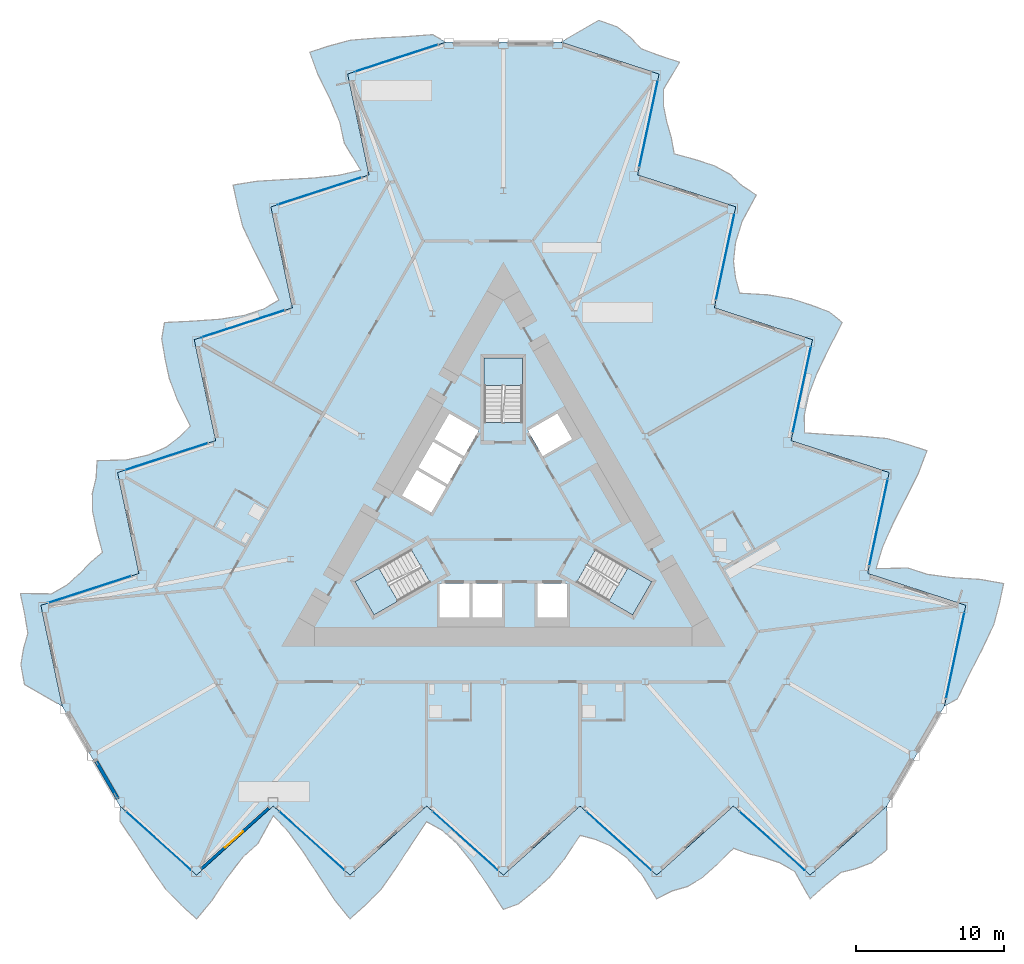
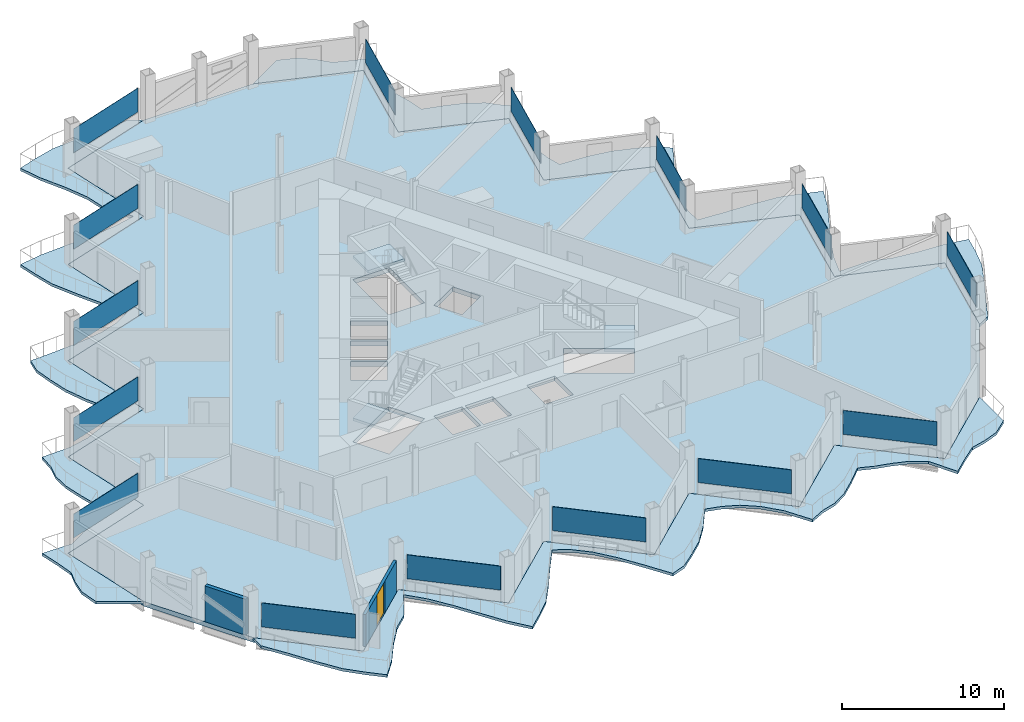
# One storey, part 10 of 23: 15 plates, 7 slabs, 2 walls, 1 door, 1 opening, 18 elements without a shape of their own.
"""IFC4 building model written with IfcOpenShell, lengths in metres."""

from ifc_helpers import new_model, si_unit, direction, frame, frame_2d, origin, origin_2d, place, context, subcontext, project, spatial, polyline, rectangle, outline, extrude, material, layer, layer_set, type_object, element, fill, aggregate, save


model = new_model("IFC4")

# Units and contexts
model_context = context("Model", 3, precision=1e-05, world=origin(), true_north=direction((0.0, 1.0)))
body_context = subcontext(model_context, "Body", "Model", "MODEL_VIEW")
ifc_project = project(units=[si_unit("LENGTHUNIT", "METRE"), si_unit("AREAUNIT", "SQUARE_METRE"), si_unit("VOLUMEUNIT", "CUBIC_METRE"), si_unit("PLANEANGLEUNIT", "RADIAN"), si_unit("MASSUNIT", "GRAM", prefix="KILO")], contexts=[model_context])

# Site, building, storey
site_placement = place(None, origin())
site = spatial("IfcSite", under=ifc_project, at=site_placement, CompositionType="ELEMENT")
building_placement = place(site_placement, origin())
building = spatial("IfcBuilding", under=site, at=building_placement, Name="Cormorant Prow Tower", CompositionType="ELEMENT")
storey_placement = place(building_placement, frame((0.0, 0.0, 263.39990234375)))
storey = spatial("IfcBuildingStorey", under=building, at=storey_placement, Name="L59", CompositionType="ELEMENT", Elevation=263.39990234375)

# Slabs
ifc_material_1 = material(Name="Concrete C40/50", Category="concrete")
ifc_layer_1 = layer(ifc_material_1, 0.199951171875)
ifc_layer_set_1 = layer_set([ifc_layer_1], Name="Concrete C40/50")
slab_type_1 = type_object("IfcSlabType", Name="Balcony slab 200", PredefinedType="FLOOR", material=ifc_layer_set_1)
slab_1_placement = place(storey_placement, frame((0.0, 0.0, -0.199951171875)))
element("IfcSlab", 1, at=slab_1_placement, inside=storey, type_object=slab_type_1, Name="Balcony slab S L59", PredefinedType="FLOOR", context=body_context, shape_type="SweptSolid", body=[
    extrude(outline(polyline([(-25.913330078125, -19.456298828125), (-25.913330078125, -20.472412109375), (-24.876953125, -21.995361328125), (-23.84033203125, -23.604248046875), (-22.8037109375, -25.101806640625), (-21.767333984375, -26.139404296875), (-20.730712890625, -27.07275390625), (-19.694091796875, -25.836669921875), (-18.65771484375, -24.27197265625), (-17.62109375, -22.9228515625), (-16.58447265625, -21.989501953125), (-15.548095703125, -20.1064453125), (-14.511474609375, -21.20947265625), (-13.474853515625, -22.628173828125), (-12.4384765625, -24.22119140625), (-11.40185546875, -25.794921875), (-10.365234375, -27.07275390625), (-9.328857421875, -26.139404296875), (-8.292236328125, -25.13427734375), (-7.255859375, -23.652587890625), (-6.21923828125, -22.045166015625), (-5.1826171875, -20.50927734375), (-4.146240234375, -21.087890625), (-3.109619140625, -22.017822265625), (-2.072998046875, -23.300537109375), (-1.03662109375, -24.833740234375), (0.0, -26.441650390625), (1.03662109375, -26.060302734375), (2.072998046875, -25.206298828125), (3.109619140625, -24.27294921875), (4.146240234375, -23.004638671875), (5.1826171875, -21.432861328125), (6.21923828125, -21.705322265625), (7.255859375, -22.148681640625), (8.292236328125, -22.90625), (9.328857421875, -24.029541015625), (10.365234375, -25.722900390625), (11.40185546875, -25.19384765625), (12.4384765625, -24.893798828125), (13.474853515625, -24.27294921875), (14.511474609375, -23.339599609375), (15.548095703125, -22.309326171875), (16.58447265625, -22.68212890625), (17.62109375, -22.93994140625), (18.65771484375, -23.280517578125), (19.694091796875, -23.87744140625), (20.730712890625, -25.722900390625), (21.767333984375, -24.78955078125), (22.8037109375, -23.93896484375), (23.84033203125, -23.678466796875), (24.876953125, -23.28466796875), (25.913330078125, -22.40625), (25.913330078125, -19.456298828125), (24.876953125, -20.3896484375), (23.84033203125, -21.322998046875), (22.8037109375, -22.256103515625), (21.767333984375, -23.189453125), (20.730712890625, -24.122802734375), (19.694091796875, -23.189453125), (18.65771484375, -22.256103515625), (17.62109375, -21.322998046875), (16.58447265625, -20.3896484375), (15.548095703125, -19.456298828125), (14.511474609375, -20.3896484375), (13.474853515625, -21.322998046875), (12.4384765625, -22.256103515625), (11.40185546875, -23.189453125), (10.365234375, -24.122802734375), (9.328857421875, -23.189453125), (8.292236328125, -22.256103515625), (7.255859375, -21.322998046875), (6.21923828125, -20.3896484375), (5.1826171875, -19.456298828125), (4.146240234375, -20.3896484375), (3.109619140625, -21.322998046875), (2.072998046875, -22.256103515625), (1.03662109375, -23.189453125), (0.0, -24.122802734375), (-1.03662109375, -23.189453125), (-2.072998046875, -22.256103515625), (-3.109619140625, -21.322998046875), (-4.146240234375, -20.3896484375), (-5.1826171875, -19.456298828125), (-6.21923828125, -20.3896484375), (-7.255859375, -21.322998046875), (-8.292236328125, -22.256103515625), (-9.328857421875, -23.189453125), (-10.365234375, -24.122802734375), (-11.40185546875, -23.189453125), (-12.4384765625, -22.256103515625), (-13.474853515625, -21.322998046875), (-14.511474609375, -20.3896484375), (-15.548095703125, -19.456298828125), (-16.58447265625, -20.3896484375), (-17.62109375, -21.322998046875), (-18.65771484375, -22.256103515625), (-19.694091796875, -23.189453125), (-20.730712890625, -24.122802734375), (-21.767333984375, -23.189453125), (-22.8037109375, -22.256103515625), (-23.84033203125, -21.322998046875), (-24.876953125, -20.3896484375), (-25.913330078125, -19.456298828125)])), origin(), (0.0, 0.0, 1.0), 0.199951171875),
])
slab_2_placement = place(storey_placement, frame((0.0, 0.0, -0.199951171875)))
element("IfcSlab", 2, at=slab_2_placement, inside=storey, type_object=slab_type_1, Name="Balcony slab ENE L59", PredefinedType="FLOOR", context=body_context, shape_type="SweptSolid", body=[
    extrude(outline(polyline([(29.806396484375, -12.71337890625), (30.686279296875, -12.205322265625), (31.48681640625, -10.54638671875), (32.362060546875, -8.84423828125), (33.140625, -7.19775390625), (33.52099609375, -5.78125), (33.81103515625, -4.4169921875), (32.22216796875, -4.137451171875), (30.34912109375, -4.02197265625), (28.662353515625, -3.798828125), (27.3359375, -3.367919921875), (25.186767578125, -3.41162109375), (25.62353515625, -1.962646484375), (26.334228515625, -0.35546875), (27.1953125, 1.338623046875), (28.0400390625, 3.023193359375), (28.62841796875, 4.559814453125), (27.3017578125, 4.99072265625), (25.9130859375, 5.3857421875), (24.111572265625, 5.542724609375), (22.201416015625, 5.63671875), (20.352783203125, 5.766357421875), (20.335693359375, 6.953125), (20.622802734375, 8.31591796875), (21.215576171875, 9.85498046875), (22.02490234375, 11.51904296875), (22.899169921875, 13.220703125), (22.050537109375, 13.927734375), (20.792724609375, 14.3984375), (19.466064453125, 14.829345703125), (17.849609375, 15.093017578125), (15.969970703125, 15.204833984375), (15.687744140625, 16.238525390625), (15.553466796875, 17.35791015625), (15.691162109375, 18.634521484375), (16.14599609375, 20.09375), (17.093994140625, 21.838134765625), (16.117431640625, 22.47119140625), (15.339599609375, 23.218994140625), (14.283447265625, 23.80615234375), (12.95703125, 24.237060546875), (11.54638671875, 24.61962890625), (11.35107421875, 25.70361328125), (11.05615234375, 26.730224609375), (10.832763671875, 27.79833984375), (10.831298828125, 28.994384765625), (11.9111328125, 30.814697265625), (10.584716796875, 31.245849609375), (9.329833984375, 31.71826171875), (8.586181640625, 32.485595703125), (7.726806640625, 33.186279296875), (6.44775390625, 33.644775390625), (3.89306640625, 32.169677734375), (5.219482421875, 31.73876953125), (6.5458984375, 31.307861328125), (7.87255859375, 30.876708984375), (9.198974609375, 30.44580078125), (10.525634765625, 30.0146484375), (10.235595703125, 28.650390625), (9.945556640625, 27.2861328125), (9.655517578125, 25.921875), (9.36572265625, 24.557373046875), (9.07568359375, 23.193115234375), (10.402099609375, 22.76220703125), (11.728759765625, 22.3310546875), (13.05517578125, 21.900146484375), (14.3818359375, 21.468994140625), (15.708251953125, 21.0380859375), (15.418212890625, 19.673828125), (15.128173828125, 18.309326171875), (14.83837890625, 16.945068359375), (14.54833984375, 15.580810546875), (14.25830078125, 14.216552734375), (15.5849609375, 13.785400390625), (16.911376953125, 13.3544921875), (18.23779296875, 12.92333984375), (19.564453125, 12.492431640625), (20.890869140625, 12.061279296875), (20.60107421875, 10.697021484375), (20.31103515625, 9.332763671875), (20.02099609375, 7.968505859375), (19.73095703125, 6.604248046875), (19.44091796875, 5.23974609375), (20.767578125, 4.808837890625), (22.093994140625, 4.377685546875), (23.420654296875, 3.94677734375), (24.7470703125, 3.515869140625), (26.07373046875, 3.084716796875), (25.78369140625, 1.720458984375), (25.49365234375, 0.356201171875), (25.20361328125, -1.00830078125), (24.91357421875, -2.37255859375), (24.623779296875, -3.73681640625), (25.9501953125, -4.16796875), (27.276611328125, -4.598876953125), (28.603271484375, -5.02978515625), (29.9296875, -5.4609375), (31.25634765625, -5.891845703125), (30.96630859375, -7.25634765625), (30.67626953125, -8.62060546875), (30.38623046875, -9.98486328125), (30.096435546875, -11.34912109375), (29.806396484375, -12.71337890625)])), origin(), (0.0, 0.0, 1.0), 0.199951171875),
])
slab_3_placement = place(storey_placement, frame((0.0, 0.0, -0.199951171875)))
element("IfcSlab", 3, at=slab_3_placement, inside=storey, type_object=slab_type_1, Name="Balcony slab WNW L59", PredefinedType="FLOOR", context=body_context, shape_type="SweptSolid", body=[
    extrude(outline(polyline([(-3.89306640625, 32.169677734375), (-4.77294921875, 32.677734375), (-6.610107421875, 32.541748046875), (-8.521728515625, 32.448486328125), (-10.3369140625, 32.299560546875), (-11.75390625, 31.920654296875), (-13.080322265625, 31.48974609375), (-12.528076171875, 29.973876953125), (-11.69140625, 28.2939453125), (-11.041259765625, 26.7216796875), (-10.751220703125, 25.357421875), (-9.638671875, 23.518310546875), (-11.112060546875, 23.172119140625), (-12.859130859375, 22.98388671875), (-14.7568359375, 22.882568359375), (-16.63818359375, 22.771728515625), (-18.262939453125, 22.512939453125), (-17.97314453125, 21.148681640625), (-17.620849609375, 19.74853515625), (-16.85595703125, 18.10986328125), (-15.982177734375, 16.40869140625), (-15.170166015625, 14.742919921875), (-16.189453125, 14.134521484375), (-17.51318359375, 13.701904296875), (-19.142333984375, 13.445556640625), (-20.98828125, 13.314453125), (-22.899169921875, 13.220703125), (-23.087158203125, 12.132568359375), (-22.86572265625, 10.807861328125), (-22.57568359375, 9.443359375), (-21.995849609375, 7.91162109375), (-21.15283203125, 6.22802734375), (-21.906982421875, 5.466552734375), (-22.80908203125, 4.79052734375), (-23.983642578125, 4.271728515625), (-25.474609375, 3.935791015625), (-27.459228515625, 3.884765625), (-27.519287109375, 2.72265625), (-27.77783203125, 1.675048828125), (-27.758544921875, 0.466796875), (-27.468505859375, -0.8974609375), (-27.094482421875, -2.310302734375), (-27.935546875, -3.021484375), (-28.67724609375, -3.790283203125), (-29.490478515625, -4.517578125), (-30.525634765625, -5.116943359375), (-32.641845703125, -5.091796875), (-32.35205078125, -6.456298828125), (-32.1337890625, -7.779052734375), (-32.426513671875, -8.80712890625), (-32.603515625, -9.901611328125), (-32.361083984375, -11.238525390625), (-29.806396484375, -12.71337890625), (-30.096435546875, -11.34912109375), (-30.38623046875, -9.98486328125), (-30.67626953125, -8.62060546875), (-30.96630859375, -7.25634765625), (-31.25634765625, -5.891845703125), (-29.9296875, -5.4609375), (-28.603271484375, -5.02978515625), (-27.276611328125, -4.598876953125), (-25.9501953125, -4.16796875), (-24.623779296875, -3.73681640625), (-24.91357421875, -2.37255859375), (-25.20361328125, -1.00830078125), (-25.49365234375, 0.356201171875), (-25.78369140625, 1.720458984375), (-26.07373046875, 3.084716796875), (-24.7470703125, 3.515869140625), (-23.420654296875, 3.94677734375), (-22.093994140625, 4.377685546875), (-20.767578125, 4.808837890625), (-19.44091796875, 5.23974609375), (-19.73095703125, 6.604248046875), (-20.02099609375, 7.968505859375), (-20.31103515625, 9.332763671875), (-20.60107421875, 10.697021484375), (-20.890869140625, 12.061279296875), (-19.564453125, 12.492431640625), (-18.23779296875, 12.92333984375), (-16.911376953125, 13.3544921875), (-15.5849609375, 13.785400390625), (-14.25830078125, 14.216552734375), (-14.54833984375, 15.580810546875), (-14.83837890625, 16.945068359375), (-15.128173828125, 18.309326171875), (-15.418212890625, 19.673828125), (-15.708251953125, 21.0380859375), (-14.3818359375, 21.468994140625), (-13.05517578125, 21.900146484375), (-11.728759765625, 22.3310546875), (-10.402099609375, 22.76220703125), (-9.07568359375, 23.193115234375), (-9.36572265625, 24.557373046875), (-9.655517578125, 25.921875), (-9.945556640625, 27.2861328125), (-10.235595703125, 28.650390625), (-10.525634765625, 30.0146484375), (-9.198974609375, 30.44580078125), (-7.87255859375, 30.876708984375), (-6.5458984375, 31.307861328125), (-5.219482421875, 31.73876953125), (-3.89306640625, 32.169677734375)])), origin(), (0.0, 0.0, 1.0), 0.199951171875),
])

# Curtain wall, plate
ifc_material_2 = material(Name="Aluminium 6063-T6", Category="aluminium")
ifc_layer_2 = layer(ifc_material_2, 0.179931640625)
ifc_layer_set_2 = layer_set([ifc_layer_2], Name="Aluminium 6063-T6")
curtain_wall_type = type_object("IfcCurtainWallType", Name="Hotel unitised curtain wall 180", PredefinedType="NOTDEFINED", material=ifc_layer_set_2)
curtain_wall_1_placement = place(storey_placement, origin())
curtain_wall_1 = element("IfcCurtainWall", 4, at=curtain_wall_1_placement, inside=storey, type_object=curtain_wall_type, Name="Hotel curtain wall S00", PredefinedType="NOTDEFINED")
ifc_material_3 = material(Name="Clear glass", Category="glass")
ifc_layer_3 = layer(ifc_material_3, 0.028076171875)
ifc_layer_set_3 = layer_set([ifc_layer_3], Name="Clear glass")
plate_type = type_object("IfcPlateType", Name="Hotel glass panel 28", PredefinedType="CURTAIN_PANEL", material=ifc_layer_set_3)
plate_1_placement = place(storey_placement, frame((-23.2998046875, -21.8095703125, 0.900146484375), z_axis=(0.0, 0.0, 1.0), x_axis=(0.743144856192, -0.669130572247, 0.0)))
plate_1 = element("IfcPlate", 5, at=plate_1_placement, type_object=plate_type, Name="Hotel glass panel S00", PredefinedType="CURTAIN_PANEL", context=body_context, shape_type="SweptSolid", body=[
    extrude(rectangle(XDim=5.911865234375, YDim=0.028076171875, at=origin_2d()), origin(), (0.0, 0.0, 1.0), 1.80078125),
])
aggregate(curtain_wall_1, [plate_1])

curtain_wall_2_placement = place(storey_placement, origin())
curtain_wall_2 = element("IfcCurtainWall", 6, at=curtain_wall_2_placement, inside=storey, type_object=curtain_wall_type, Name="Hotel curtain wall S02", PredefinedType="NOTDEFINED")
plate_2_placement = place(storey_placement, frame((-12.934326171875, -21.8095703125, 0.900146484375), z_axis=(0.0, 0.0, 1.0), x_axis=(0.743144920389, -0.669130500949, 0.0)))
plate_2 = element("IfcPlate", 7, at=plate_2_placement, type_object=plate_type, Name="Hotel glass panel S02", PredefinedType="CURTAIN_PANEL", context=body_context, shape_type="SweptSolid", body=[
    extrude(rectangle(XDim=5.911865234375, YDim=0.028076171875, at=origin_2d()), origin(), (0.0, 0.0, 1.0), 1.80078125),
])
aggregate(curtain_wall_2, [plate_2])

curtain_wall_3_placement = place(storey_placement, origin())
curtain_wall_3 = element("IfcCurtainWall", 8, at=curtain_wall_3_placement, inside=storey, type_object=curtain_wall_type, Name="Hotel curtain wall S04", PredefinedType="NOTDEFINED")
plate_3_placement = place(storey_placement, frame((-2.569091796875, -21.8095703125, 0.900146484375), z_axis=(0.0, 0.0, 1.0), x_axis=(0.743144856192, -0.669130572247, 0.0)))
plate_3 = element("IfcPlate", 9, at=plate_3_placement, type_object=plate_type, Name="Hotel glass panel S04", PredefinedType="CURTAIN_PANEL", context=body_context, shape_type="SweptSolid", body=[
    extrude(rectangle(XDim=5.911865234375, YDim=0.028076171875, at=origin_2d()), origin(), (0.0, 0.0, 1.0), 1.80078125),
])
aggregate(curtain_wall_3, [plate_3])

curtain_wall_4_placement = place(storey_placement, origin())
curtain_wall_4 = element("IfcCurtainWall", 10, at=curtain_wall_4_placement, inside=storey, type_object=curtain_wall_type, Name="Hotel curtain wall S06", PredefinedType="NOTDEFINED")
plate_4_placement = place(storey_placement, frame((7.79638671875, -21.8095703125, 0.900146484375), z_axis=(0.0, 0.0, 1.0), x_axis=(0.743144856192, -0.669130572247, 0.0)))
plate_4 = element("IfcPlate", 11, at=plate_4_placement, type_object=plate_type, Name="Hotel glass panel S06", PredefinedType="CURTAIN_PANEL", context=body_context, shape_type="SweptSolid", body=[
    extrude(rectangle(XDim=5.911865234375, YDim=0.028076171875, at=origin_2d()), origin(), (0.0, 0.0, 1.0), 1.80078125),
])
aggregate(curtain_wall_4, [plate_4])

curtain_wall_5_placement = place(storey_placement, origin())
curtain_wall_5 = element("IfcCurtainWall", 12, at=curtain_wall_5_placement, inside=storey, type_object=curtain_wall_type, Name="Hotel curtain wall S08", PredefinedType="NOTDEFINED")
plate_5_placement = place(storey_placement, frame((18.16162109375, -21.8095703125, 0.900146484375), z_axis=(0.0, 0.0, 1.0), x_axis=(0.743144856192, -0.669130572247, 0.0)))
plate_5 = element("IfcPlate", 13, at=plate_5_placement, type_object=plate_type, Name="Hotel glass panel S08", PredefinedType="CURTAIN_PANEL", context=body_context, shape_type="SweptSolid", body=[
    extrude(rectangle(XDim=5.911865234375, YDim=0.028076171875, at=origin_2d()), origin(), (0.0, 0.0, 1.0), 1.80078125),
])
aggregate(curtain_wall_5, [plate_5])

curtain_wall_6_placement = place(storey_placement, origin())
curtain_wall_6 = element("IfcCurtainWall", 14, at=curtain_wall_6_placement, inside=storey, type_object=curtain_wall_type, Name="Hotel curtain wall ENE00", PredefinedType="NOTDEFINED")
plate_6_placement = place(storey_placement, frame((30.53759765625, -9.2734375, 0.900146484375), z_axis=(0.0, 0.0, 1.0), x_axis=(0.20791174707, 0.978147588777, 0.0)))
plate_6 = element("IfcPlate", 15, at=plate_6_placement, type_object=plate_type, Name="Hotel glass panel ENE00", PredefinedType="CURTAIN_PANEL", context=body_context, shape_type="SweptSolid", body=[
    extrude(rectangle(XDim=5.911865234375, YDim=0.028076171875, at=origin_2d()), origin(), (0.0, 0.0, 1.0), 1.80078125),
])
aggregate(curtain_wall_6, [plate_6])

curtain_wall_7_placement = place(storey_placement, origin())
curtain_wall_7 = element("IfcCurtainWall", 16, at=curtain_wall_7_placement, inside=storey, type_object=curtain_wall_type, Name="Hotel curtain wall ENE02", PredefinedType="NOTDEFINED")
plate_7_placement = place(storey_placement, frame((25.35498046875, -0.296630859375, 0.900146484375), z_axis=(0.0, 0.0, 1.0), x_axis=(0.207911717911, 0.978147594975, 0.0)))
plate_7 = element("IfcPlate", 17, at=plate_7_placement, type_object=plate_type, Name="Hotel glass panel ENE02", PredefinedType="CURTAIN_PANEL", context=body_context, shape_type="SweptSolid", body=[
    extrude(rectangle(XDim=5.911865234375, YDim=0.028076171875, at=origin_2d()), origin(), (0.0, 0.0, 1.0), 1.80078125),
])
aggregate(curtain_wall_7, [plate_7])

curtain_wall_8_placement = place(storey_placement, origin())
curtain_wall_8 = element("IfcCurtainWall", 18, at=curtain_wall_8_placement, inside=storey, type_object=curtain_wall_type, Name="Hotel curtain wall ENE04", PredefinedType="NOTDEFINED")
plate_8_placement = place(storey_placement, frame((20.172119140625, 8.679931640625, 0.900146484375), z_axis=(0.0, 0.0, 1.0), x_axis=(0.20791174707, 0.978147588777, 0.0)))
plate_8 = element("IfcPlate", 19, at=plate_8_placement, type_object=plate_type, Name="Hotel glass panel ENE04", PredefinedType="CURTAIN_PANEL", context=body_context, shape_type="SweptSolid", body=[
    extrude(rectangle(XDim=5.911865234375, YDim=0.028076171875, at=origin_2d()), origin(), (0.0, 0.0, 1.0), 1.80078125),
])
aggregate(curtain_wall_8, [plate_8])

curtain_wall_9_placement = place(storey_placement, origin())
curtain_wall_9 = element("IfcCurtainWall", 20, at=curtain_wall_9_placement, inside=storey, type_object=curtain_wall_type, Name="Hotel curtain wall ENE06", PredefinedType="NOTDEFINED")
plate_9_placement = place(storey_placement, frame((14.989501953125, 17.656494140625, 0.900146484375), z_axis=(0.0, 0.0, 1.0), x_axis=(0.207911717911, 0.978147594975, 0.0)))
plate_9 = element("IfcPlate", 21, at=plate_9_placement, type_object=plate_type, Name="Hotel glass panel ENE06", PredefinedType="CURTAIN_PANEL", context=body_context, shape_type="SweptSolid", body=[
    extrude(rectangle(XDim=5.911865234375, YDim=0.028076171875, at=origin_2d()), origin(), (0.0, 0.0, 1.0), 1.80078125),
])
aggregate(curtain_wall_9, [plate_9])

curtain_wall_10_placement = place(storey_placement, origin())
curtain_wall_10 = element("IfcCurtainWall", 22, at=curtain_wall_10_placement, inside=storey, type_object=curtain_wall_type, Name="Hotel curtain wall ENE08", PredefinedType="NOTDEFINED")
plate_10_placement = place(storey_placement, frame((9.806884765625, 26.63330078125, 0.900146484375), z_axis=(0.0, 0.0, 1.0), x_axis=(0.20791160988, 0.978147617938, 0.0)))
plate_10 = element("IfcPlate", 23, at=plate_10_placement, type_object=plate_type, Name="Hotel glass panel ENE08", PredefinedType="CURTAIN_PANEL", context=body_context, shape_type="SweptSolid", body=[
    extrude(rectangle(XDim=5.911865234375, YDim=0.028076171875, at=origin_2d()), origin(), (0.0, 0.0, 1.0), 1.80078125),
])
aggregate(curtain_wall_10, [plate_10])

curtain_wall_11_placement = place(storey_placement, origin())
curtain_wall_11 = element("IfcCurtainWall", 24, at=curtain_wall_11_placement, inside=storey, type_object=curtain_wall_type, Name="Hotel curtain wall WNW00", PredefinedType="NOTDEFINED")
plate_11_placement = place(storey_placement, frame((-7.23779296875, 31.0830078125, 0.900146484375), z_axis=(0.0, 0.0, 1.0), x_axis=(-0.95105650148, -0.309017039973, 0.0)))
plate_11 = element("IfcPlate", 25, at=plate_11_placement, type_object=plate_type, Name="Hotel glass panel WNW00", PredefinedType="CURTAIN_PANEL", context=body_context, shape_type="SweptSolid", body=[
    extrude(rectangle(XDim=5.911865234375, YDim=0.028076171875, at=origin_2d()), origin(), (0.0, 0.0, 1.0), 1.80078125),
])
aggregate(curtain_wall_11, [plate_11])

curtain_wall_12_placement = place(storey_placement, origin())
curtain_wall_12 = element("IfcCurtainWall", 26, at=curtain_wall_12_placement, inside=storey, type_object=curtain_wall_type, Name="Hotel curtain wall WNW02", PredefinedType="NOTDEFINED")
plate_12_placement = place(storey_placement, frame((-12.42041015625, 22.1064453125, 0.900146484375), z_axis=(0.0, 0.0, 1.0), x_axis=(-0.951056515173, -0.309016997828, 0.0)))
plate_12 = element("IfcPlate", 27, at=plate_12_placement, type_object=plate_type, Name="Hotel glass panel WNW02", PredefinedType="CURTAIN_PANEL", context=body_context, shape_type="SweptSolid", body=[
    extrude(rectangle(XDim=5.911865234375, YDim=0.028076171875, at=origin_2d()), origin(), (0.0, 0.0, 1.0), 1.80078125),
])
aggregate(curtain_wall_12, [plate_12])

curtain_wall_13_placement = place(storey_placement, origin())
curtain_wall_13 = element("IfcCurtainWall", 28, at=curtain_wall_13_placement, inside=storey, type_object=curtain_wall_type, Name="Hotel curtain wall WNW04", PredefinedType="NOTDEFINED")
plate_13_placement = place(storey_placement, frame((-17.603271484375, 13.129638671875, 0.900146484375), z_axis=(0.0, 0.0, 1.0), x_axis=(-0.951056515173, -0.309016997828, 0.0)))
plate_13 = element("IfcPlate", 29, at=plate_13_placement, type_object=plate_type, Name="Hotel glass panel WNW04", PredefinedType="CURTAIN_PANEL", context=body_context, shape_type="SweptSolid", body=[
    extrude(rectangle(XDim=5.911865234375, YDim=0.028076171875, at=origin_2d()), origin(), (0.0, 0.0, 1.0), 1.80078125),
])
aggregate(curtain_wall_13, [plate_13])

curtain_wall_14_placement = place(storey_placement, origin())
curtain_wall_14 = element("IfcCurtainWall", 30, at=curtain_wall_14_placement, inside=storey, type_object=curtain_wall_type, Name="Hotel curtain wall WNW06", PredefinedType="NOTDEFINED")
plate_14_placement = place(storey_placement, frame((-22.785888671875, 4.153076171875, 0.900146484375), z_axis=(0.0, 0.0, 1.0), x_axis=(-0.951056515173, -0.309016997828, 0.0)))
plate_14 = element("IfcPlate", 31, at=plate_14_placement, type_object=plate_type, Name="Hotel glass panel WNW06", PredefinedType="CURTAIN_PANEL", context=body_context, shape_type="SweptSolid", body=[
    extrude(rectangle(XDim=5.911865234375, YDim=0.028076171875, at=origin_2d()), origin(), (0.0, 0.0, 1.0), 1.80078125),
])
aggregate(curtain_wall_14, [plate_14])

curtain_wall_15_placement = place(storey_placement, origin())
curtain_wall_15 = element("IfcCurtainWall", 32, at=curtain_wall_15_placement, inside=storey, type_object=curtain_wall_type, Name="Hotel curtain wall WNW08", PredefinedType="NOTDEFINED")
plate_15_placement = place(storey_placement, frame((-27.968505859375, -4.82373046875, 0.900146484375), z_axis=(0.0, 0.0, 1.0), x_axis=(-0.951056515173, -0.309016997828, 0.0)))
plate_15 = element("IfcPlate", 33, at=plate_15_placement, type_object=plate_type, Name="Hotel glass panel WNW08", PredefinedType="CURTAIN_PANEL", context=body_context, shape_type="SweptSolid", body=[
    extrude(rectangle(XDim=5.911865234375, YDim=0.028076171875, at=origin_2d()), origin(), (0.0, 0.0, 1.0), 1.80078125),
])
aggregate(curtain_wall_15, [plate_15])

# Slab
ifc_material_4 = material(Name="Concrete C40/50", Category="concrete")
ifc_layer_4 = layer(ifc_material_4, 0.35009765625)
ifc_layer_set_4 = layer_set([ifc_layer_4], Name="Concrete C40/50")
slab_type_2 = type_object("IfcSlabType", Name="Post-tensioned flat slab 350", PredefinedType="FLOOR", material=ifc_layer_set_4)
slab_4_placement = place(storey_placement, frame((0.0, 0.0, -0.349853515625)))
element("IfcSlab", 34, at=slab_4_placement, inside=storey, type_object=slab_type_2, Name="Floor slab L59", PredefinedType="FLOOR", context=body_context, shape_type="SweptSolid", body=[
    extrude(outline(polyline([(-9.07568359375, 23.193115234375), (-15.708251953125, 21.0380859375), (-14.25830078125, 14.216552734375), (-20.890869140625, 12.061279296875), (-19.44091796875, 5.23974609375), (-26.07373046875, 3.084716796875), (-24.623779296875, -3.73681640625), (-31.25634765625, -5.891845703125), (-29.806396484375, -12.71337890625), (-27.85986328125, -16.0849609375), (-25.913330078125, -19.456298828125), (-20.730712890625, -24.122802734375), (-15.548095703125, -19.456298828125), (-10.365234375, -24.122802734375), (-5.1826171875, -19.456298828125), (0.0, -24.122802734375), (5.1826171875, -19.456298828125), (10.365234375, -24.122802734375), (15.548095703125, -19.456298828125), (20.730712890625, -24.122802734375), (25.913330078125, -19.456298828125), (27.85986328125, -16.0849609375), (29.806396484375, -12.71337890625), (31.25634765625, -5.891845703125), (24.623779296875, -3.73681640625), (26.07373046875, 3.084716796875), (19.44091796875, 5.23974609375), (20.890869140625, 12.061279296875), (14.25830078125, 14.216552734375), (15.708251953125, 21.0380859375), (9.07568359375, 23.193115234375), (10.525634765625, 30.0146484375), (3.89306640625, 32.169677734375), (0.0, 32.169677734375), (-3.89306640625, 32.169677734375), (-10.525634765625, 30.0146484375), (-9.07568359375, 23.193115234375)]), holes=[polyline([(-4.300048828125, -4.39990234375), (-2.300048828125, -4.39990234375), (-2.300048828125, -6.699951171875), (-4.300048828125, -6.699951171875), (-4.300048828125, -4.39990234375)]), polyline([(-0.10009765625, -4.39990234375), (-0.10009765625, -6.699951171875), (-2.10009765625, -6.699951171875), (-2.10009765625, -4.39990234375), (-0.10009765625, -4.39990234375)]), polyline([(4.300048828125, -6.699951171875), (2.300048828125, -6.699951171875), (2.300048828125, -4.39990234375), (4.300048828125, -4.39990234375), (4.300048828125, -6.699951171875)]), polyline([(4.65234375, 5.341796875), (2.660400390625, 4.19189453125), (1.660400390625, 5.923828125), (3.65234375, 7.073974609375), (4.65234375, 5.341796875)]), polyline([(-1.660400390625, 5.923828125), (-2.660400390625, 4.19189453125), (-4.65234375, 5.341796875), (-3.65234375, 7.073974609375), (-1.660400390625, 5.923828125)]), polyline([(-3.760498046875, 2.28662109375), (-5.75244140625, 3.4365234375), (-4.75244140625, 5.168701171875), (-2.760498046875, 4.018798828125), (-3.760498046875, 2.28662109375)]), polyline([(-6.852294921875, 1.53125), (-5.852294921875, 3.263427734375), (-3.860595703125, 2.11328125), (-4.860595703125, 0.38134765625), (-6.852294921875, 1.53125)]), polyline([(-4.947509765625, -4.3505859375), (-8.738037109375, -6.5390625), (-10.031982421875, -4.2978515625), (-6.241455078125, -2.109375), (-4.947509765625, -4.3505859375)]), polyline([(10.031982421875, -4.2978515625), (8.738037109375, -6.5390625), (4.947509765625, -4.3505859375), (6.241455078125, -2.109375), (10.031982421875, -4.2978515625)]), polyline([(1.2939453125, 10.8369140625), (1.2939453125, 6.459716796875), (-1.2939453125, 6.459716796875), (-1.2939453125, 10.8369140625), (1.2939453125, 10.8369140625)])]), origin(), (0.0, 0.0, 1.0), 0.349853515625),
])

# Stair, slab
ifc_material_5 = material(Name="Exit stair 20 risers")
stair_type = type_object("IfcStairType", Name="Exit stair 20 risers", PredefinedType="HALF_TURN_STAIR", material=ifc_material_5)
stair_1_placement = place(storey_placement, origin())
stair_1 = element("IfcStair", 35, at=stair_1_placement, inside=storey, type_object=stair_type, Name="L59 Exit stair ST1", PredefinedType="HALF_TURN_STAIR")
ifc_material_6 = material(Name="Concrete 5000 psi", Category="concrete")
ifc_layer_5 = layer(ifc_material_6, 0.199951171875)
ifc_layer_set_5 = layer_set([ifc_layer_5], Name="Concrete 5000 psi")
slab_type_3 = type_object("IfcSlabType", Name="Stair landing 200", PredefinedType="LANDING", material=ifc_layer_set_5)
slab_5_placement = place(storey_placement, frame((0.0, 0.0, 1.60009765625)))
slab_5 = element("IfcSlab", 36, at=slab_5_placement, type_object=slab_type_3, Name="ST1 landing 1", PredefinedType="LANDING", context=body_context, shape_type="SweptSolid", body=[
    extrude(outline(polyline([(-8.416748046875, -3.365234375), (-10.031982421875, -4.2978515625), (-8.738037109375, -6.5390625), (-7.122802734375, -5.6064453125), (-8.416748046875, -3.365234375)])), origin(), (0.0, 0.0, 1.0), 0.199951171875),
])
aggregate(stair_1, [slab_5])

stair_2_placement = place(storey_placement, origin())
stair_2 = element("IfcStair", 37, at=stair_2_placement, inside=storey, type_object=stair_type, Name="L59 Exit stair ST2", PredefinedType="HALF_TURN_STAIR")
slab_6_placement = place(storey_placement, frame((0.0, 0.0, 1.60009765625)))
slab_6 = element("IfcSlab", 38, at=slab_6_placement, type_object=slab_type_3, Name="ST2 landing 1", PredefinedType="LANDING", context=body_context, shape_type="SweptSolid", body=[
    extrude(outline(polyline([(7.122802734375, -5.6064453125), (8.738037109375, -6.5390625), (10.031982421875, -4.2978515625), (8.416748046875, -3.365234375), (7.122802734375, -5.6064453125)])), origin(), (0.0, 0.0, 1.0), 0.199951171875),
])
aggregate(stair_2, [slab_6])

stair_3_placement = place(storey_placement, origin())
stair_3 = element("IfcStair", 39, at=stair_3_placement, inside=storey, type_object=stair_type, Name="L59 Exit stair ST3", PredefinedType="HALF_TURN_STAIR")
slab_7_placement = place(storey_placement, frame((0.0, 0.0, 1.60009765625)))
slab_7 = element("IfcSlab", 40, at=slab_7_placement, type_object=slab_type_3, Name="ST3 landing 1", PredefinedType="LANDING", context=body_context, shape_type="SweptSolid", body=[
    extrude(outline(polyline([(1.2939453125, 8.971923828125), (1.2939453125, 10.8369140625), (-1.2939453125, 10.8369140625), (-1.2939453125, 8.971923828125), (1.2939453125, 8.971923828125)])), origin(), (0.0, 0.0, 1.0), 0.199951171875),
])
aggregate(stair_3, [slab_7])

# Wall
ifc_material_7 = material(Name="Terracotta", Category="masonry")
ifc_layer_6 = layer(ifc_material_7, 0.25)
ifc_layer_set_6 = layer_set([ifc_layer_6], Name="Terracotta")
wall_type_1 = type_object("IfcWallType", Name="Terracotta bay wall 250", PredefinedType="SOLIDWALL", material=ifc_layer_set_6)
wall_1_placement = place(storey_placement, frame((-27.512939453125, -16.435546875, 0.0), z_axis=(0.0, 0.0, 1.0), x_axis=(0.499949632511, -0.866054481515, 0.0)))
element("IfcWall", 41, at=wall_1_placement, inside=storey, type_object=wall_type_1, Name="Terracotta bay wall WSW01", PredefinedType="SOLIDWALL", context=body_context, shape_type="SweptSolid", body=[
    extrude(rectangle(XDim=2.914794921875, YDim=0.25, at=frame_2d((1.45751953125, 0.0))), origin(), (0.0, 0.0, 1.0), 2.700927734375),
])

# Wall, opening, door
ifc_material_8 = material(Name="Terracotta", Category="masonry")
ifc_layer_7 = layer(ifc_material_8, 0.199951171875)
ifc_layer_set_7 = layer_set([ifc_layer_7], Name="Terracotta")
wall_type_2 = type_object("IfcWallType", Name="Terracotta jamb wall 200", PredefinedType="SOLIDWALL", material=ifc_layer_set_7)
wall_2_placement = place(storey_placement, frame((-20.42529296875, -23.713134765625, 0.0), z_axis=(0.0, 0.0, 1.0), x_axis=(0.74316565197, 0.669107475472, 0.0)))
wall_2 = element("IfcWall", 42, at=wall_2_placement, inside=storey, type_object=wall_type_2, Name="Terracotta jamb wall S01", PredefinedType="SOLIDWALL", context=body_context, shape_type="SweptSolid", body=[
    extrude(rectangle(XDim=6.1416015625, YDim=0.199951171875, at=frame_2d((3.07080078125, 0.0))), origin(), (0.0, 0.0, 1.0), 2.404296875),
])
opening_placement = place(wall_2_placement, frame((2.18603515625, 0.0, 0.0)))
opening = element("IfcOpeningElement", 43, at=opening_placement, cuts=wall_2, Name="Opening ED59.01", PredefinedType="OPENING", context=body_context, shape_type="SweptSolid", body=[
    extrude(rectangle(XDim=1.60009765625, YDim=2.39990234375, at=frame_2d((0.800048828125, 1.199951171875))), frame((0.0, 0.10986328125, 0.0), z_axis=(0.0, -1.0, 0.0), x_axis=(1.0, 0.0, 0.0)), (0.0, 0.0, 1.0), 0.219970703125),
])
ifc_material_9 = material(Name="Aluminium 6063-T6", Category="aluminium")
door_type = type_object("IfcDoorType", Name="Balcony door 1600x2400", OperationType="DOUBLE_DOOR_SINGLE_SWING", PredefinedType="DOOR", material=ifc_material_9)
door_placement = place(opening_placement, origin())
door = element("IfcDoor", 44, at=door_placement, inside=storey, type_object=door_type, Name="Balcony door S01 ED59.01", OperationType="DOUBLE_DOOR_SINGLE_SWING", OverallHeight=2.39990234375, OverallWidth=1.60009765625, PredefinedType="DOOR", context=body_context, shape_type="SweptSolid", body=[
    extrude(rectangle(XDim=1.60009765625, YDim=2.39990234375, at=frame_2d((0.800048828125, 1.199951171875))), frame((0.0, 0.02490234375, 0.0), z_axis=(0.0, -1.0, 0.0), x_axis=(1.0, 0.0, 0.0)), (0.0, 0.0, 1.0), 0.050048828125),
])
fill(opening, door)

save(model, "model.ifc")
